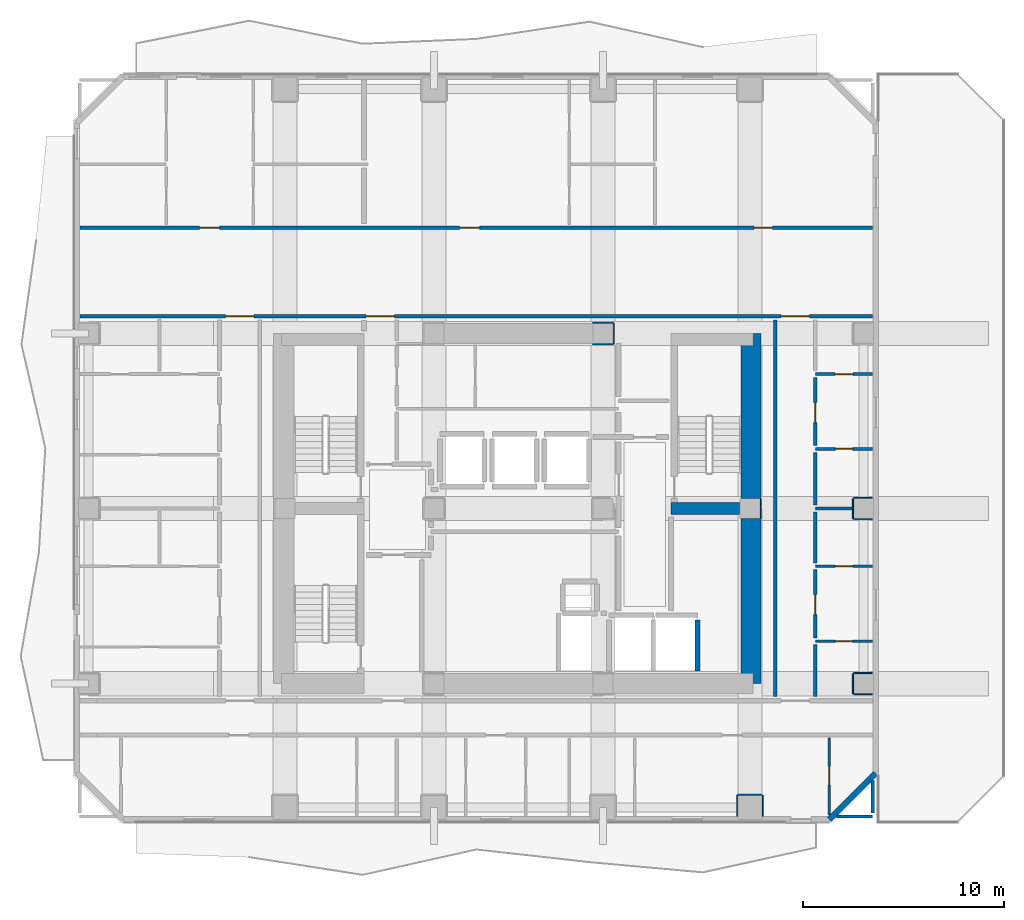
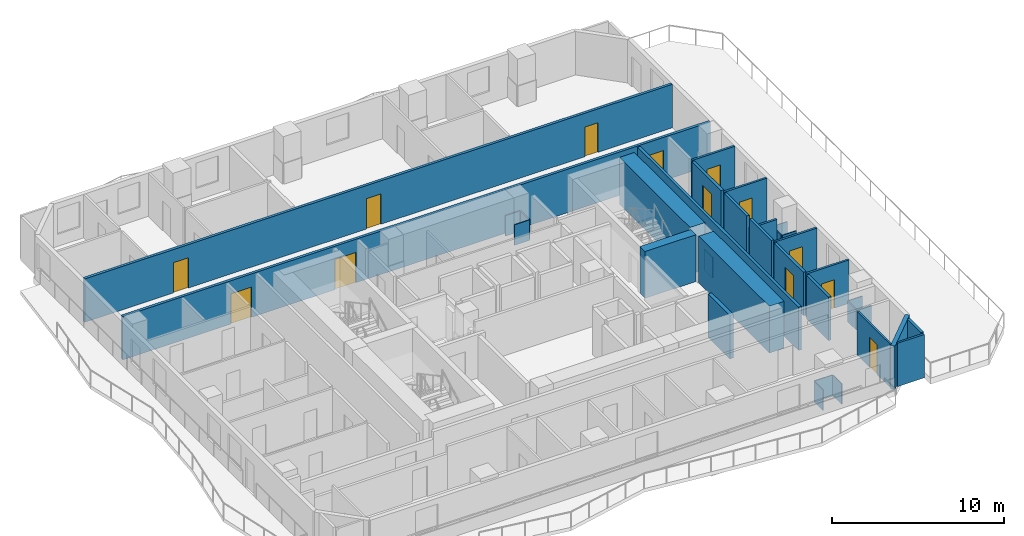
# One storey, part 5 of 11: 34 walls, 13 doors, 13 openings.
"""IFC4 building model written with IfcOpenShell, lengths in metres."""

from ifc_helpers import new_model, si_unit, direction, frame, frame_2d, origin, place, context, subcontext, project, spatial, rectangle, extrude, material, layer, layer_set, type_object, element, fill, save


model = new_model("IFC4")

# Units and contexts
model_context = context("Model", 3, precision=1e-05, world=origin(), true_north=direction((0.0, 1.0)))
body_context = subcontext(model_context, "Body", "Model", "MODEL_VIEW")
ifc_project = project(units=[si_unit("LENGTHUNIT", "METRE"), si_unit("AREAUNIT", "SQUARE_METRE"), si_unit("VOLUMEUNIT", "CUBIC_METRE"), si_unit("PLANEANGLEUNIT", "RADIAN"), si_unit("MASSUNIT", "GRAM", prefix="KILO")], contexts=[model_context])

# Site, building, storey
site_placement = place(None, origin())
site = spatial("IfcSite", under=ifc_project, at=site_placement, CompositionType="ELEMENT")
building_placement = place(site_placement, origin())
building = spatial("IfcBuilding", under=site, at=building_placement, Name="Solanera Arch Residences", CompositionType="ELEMENT")
storey_placement = place(building_placement, frame((0.0, 0.0, 165.840087890625)))
storey = spatial("IfcBuildingStorey", under=building, at=storey_placement, Name="L48", CompositionType="ELEMENT", Elevation=165.840087890625)

# Walls
ifc_material_1 = material(Name="Fire-Rated Gypsum Stud Partition", Category="gypsum")
ifc_layer_1 = layer(ifc_material_1, 0.06005859375)
ifc_layer_set_1 = layer_set([ifc_layer_1], Name="Fire-Rated Gypsum Stud Partition")
wall_type_1 = type_object("IfcWallType", Name="Column Acoustic Furring Wall 60", PredefinedType="PARTITIONING", material=ifc_layer_set_1)
for number, where, z_axis, x_axis, name in (
    (1, (28.699951171875, 38.867919921875, 0.0), (0.0, 0.0, 1.0), (1.0, 0.0, 0.0), "L48 Column Furring 4S"),
    (2, (28.699951171875, 39.931884765625, 0.0), (0.0, 0.0, 1.0), (1.0, 0.0, 0.0), "L48 Column Furring 4N"),
    (3, (29.73193359375, 38.89990234375, 0.0), (0.0, 0.0, 1.0), (0.0, 1.0, 0.0), "L48 Column Furring 4E"),
):
    element("IfcWall", number, at=place(storey_placement, frame(where, z_axis=z_axis, x_axis=x_axis)), inside=storey, type_object=wall_type_1, Name=name, PredefinedType="PARTITIONING", context=body_context, shape_type="SweptSolid", body=[
        extrude(rectangle(XDim=1.0, YDim=0.06005859375, at=frame_2d((0.5, 0.0))), origin(), (0.0, 0.0, 1.0), 1.449951171875),
    ])
wall_1_placement = place(storey_placement, frame((37.031982421875, 30.2099609375, 0.0), z_axis=(0.0, 0.0, 1.0), x_axis=(0.0, 1.0, 0.0)))
element("IfcWall", 4, at=wall_1_placement, inside=storey, type_object=wall_type_1, Name="L48 Column Furring 6E", PredefinedType="PARTITIONING", context=body_context, shape_type="SweptSolid", body=[
    extrude(rectangle(XDim=0.97998046875, YDim=0.06005859375, at=frame_2d((0.489990234375, 0.0))), origin(), (0.0, 0.0, 1.0), 1.449951171875),
])
wall_2_placement = place(storey_placement, frame((35.89990234375, 16.48193359375, 0.0), z_axis=(0.0, 0.0, 1.0), x_axis=(1.0, 0.0, 0.0)))
element("IfcWall", 5, at=wall_2_placement, inside=storey, type_object=wall_type_1, Name="L48 Column Furring 15N", PredefinedType="PARTITIONING", context=body_context, shape_type="SweptSolid", body=[
    extrude(rectangle(XDim=1.2001953125, YDim=0.06005859375, at=frame_2d((0.60009765625, 0.0))), origin(), (0.0, 0.0, 1.0), 1.449951171875),
])
for number, where, z_axis, x_axis, name in (
    (6, (35.867919921875, 15.409912109375, 0.0), (0.0, 0.0, 1.0), (0.0, 1.0, 0.0), "L48 Column Furring 15W"),
    (7, (37.132080078125, 15.409912109375, 0.0), (0.0, 0.0, 1.0), (0.0, 1.0, 0.0), "L48 Column Furring 15E"),
):
    element("IfcWall", number, at=place(storey_placement, frame(where, z_axis=z_axis, x_axis=x_axis)), inside=storey, type_object=wall_type_1, Name=name, PredefinedType="PARTITIONING", context=body_context, shape_type="SweptSolid", body=[
        extrude(rectangle(XDim=1.0400390625, YDim=0.06005859375, at=frame_2d((0.52001953125, 0.0))), origin(), (0.0, 0.0, 1.0), 1.449951171875),
    ])
for number, where, z_axis, x_axis, name in (
    (8, (41.64990234375, 21.468017578125, 0.0), (0.0, 0.0, 1.0), (1.0, 0.0, 0.0), "L48 Column Furring 18S"),
    (9, (41.64990234375, 22.531982421875, 0.0), (0.0, 0.0, 1.0), (1.0, 0.0, 0.0), "L48 Column Furring 18N"),
):
    element("IfcWall", number, at=place(storey_placement, frame(where, z_axis=z_axis, x_axis=x_axis)), inside=storey, type_object=wall_type_1, Name=name, PredefinedType="PARTITIONING", context=body_context, shape_type="SweptSolid", body=[
        extrude(rectangle(XDim=0.940185546875, YDim=0.06005859375, at=frame_2d((0.47021484375, 0.0))), origin(), (0.0, 0.0, 1.0), 1.449951171875),
    ])
wall_3_placement = place(storey_placement, frame((41.617919921875, 21.5, 0.0), z_axis=(0.0, 0.0, 1.0), x_axis=(0.0, 1.0, 0.0)))
element("IfcWall", 10, at=wall_3_placement, inside=storey, type_object=wall_type_1, Name="L48 Column Furring 18W", PredefinedType="PARTITIONING", context=body_context, shape_type="SweptSolid", body=[
    extrude(rectangle(XDim=1.0, YDim=0.06005859375, at=frame_2d((0.5, 0.0))), origin(), (0.0, 0.0, 1.0), 1.449951171875),
])
for number, where, z_axis, x_axis, name in (
    (11, (41.64990234375, 30.16796875, 0.0), (0.0, 0.0, 1.0), (1.0, 0.0, 0.0), "L48 Column Furring 20S"),
    (12, (41.64990234375, 31.23193359375, 0.0), (0.0, 0.0, 1.0), (1.0, 0.0, 0.0), "L48 Column Furring 20N"),
):
    element("IfcWall", number, at=place(storey_placement, frame(where, z_axis=z_axis, x_axis=x_axis)), inside=storey, type_object=wall_type_1, Name=name, PredefinedType="PARTITIONING", context=body_context, shape_type="SweptSolid", body=[
        extrude(rectangle(XDim=0.940185546875, YDim=0.06005859375, at=frame_2d((0.47021484375, 0.0))), origin(), (0.0, 0.0, 1.0), 1.449951171875),
    ])
wall_4_placement = place(storey_placement, frame((41.617919921875, 30.199951171875, 0.0), z_axis=(0.0, 0.0, 1.0), x_axis=(0.0, 1.0, 0.0)))
element("IfcWall", 13, at=wall_4_placement, inside=storey, type_object=wall_type_1, Name="L48 Column Furring 20W", PredefinedType="PARTITIONING", context=body_context, shape_type="SweptSolid", body=[
    extrude(rectangle(XDim=1.0, YDim=0.06005859375, at=frame_2d((0.5, 0.0))), origin(), (0.0, 0.0, 1.0), 1.449951171875),
])
ifc_material_2 = material(Name="Concrete C55/67 (f'c = 60 MPa)", Category="concrete")
ifc_layer_2 = layer(ifc_material_2, 1.0)
ifc_layer_set_2 = layer_set([ifc_layer_2], Name="Concrete C55/67 (f'c = 60 MPa)")
wall_type_2 = type_object("IfcWallType", Name="Core Shear Wall CW-1000", PredefinedType="SHEAR", material=ifc_layer_set_2)
wall_5_placement = place(storey_placement, frame((36.56005859375, 22.0, 0.0), z_axis=(0.0, 0.0, 1.0), x_axis=(0.0, 1.0, 0.0)))
element("IfcWall", 14, at=wall_5_placement, inside=storey, type_object=wall_type_2, Name="L48 East Core South Shear Wall", PredefinedType="SHEAR", context=body_context, shape_type="SweptSolid", body=[
    extrude(rectangle(XDim=8.195068359375, YDim=1.0, at=frame_2d((4.09765625, 0.0))), origin(), (0.0, 0.0, 1.0), 3.31982421875),
])
wall_6_placement = place(storey_placement, frame((36.56005859375, 31.205078125, 0.0), z_axis=(0.0, 0.0, 1.0), x_axis=(0.0, 1.0, 0.0)))
element("IfcWall", 15, at=wall_6_placement, inside=storey, type_object=wall_type_2, Name="L48 East Core North Shear Wall", PredefinedType="SHEAR", context=body_context, shape_type="SweptSolid", body=[
    extrude(rectangle(XDim=8.19482421875, YDim=1.0, at=frame_2d((4.097412109375, 0.0))), origin(), (0.0, 0.0, 1.0), 3.31982421875),
])
ifc_material_3 = material(Name="Concrete C40/50 (f'c = 45 MPa)", Category="concrete")
ifc_layer_3 = layer(ifc_material_3, 0.60009765625)
ifc_layer_set_3 = layer_set([ifc_layer_3], Name="Concrete C40/50 (f'c = 45 MPa)")
wall_type_3 = type_object("IfcWallType", Name="Core Shear Wall CW-600", PredefinedType="SHEAR", material=ifc_layer_set_3)
wall_7_placement = place(storey_placement, frame((32.580078125, 30.699951171875, 0.0), z_axis=(0.0, 0.0, 1.0), x_axis=(1.0, 0.0, 0.0)))
element("IfcWall", 16, at=wall_7_placement, inside=storey, type_object=wall_type_3, Name="L48 East Stair Far-Landing Shear Wall", PredefinedType="SHEAR", context=body_context, shape_type="SweptSolid", body=[
    extrude(rectangle(XDim=3.4150390625, YDim=0.60009765625, at=frame_2d((1.70751953125, 0.0))), origin(), (0.0, 0.0, 1.0), 3.31982421875),
])

# Wall, openings, doors
ifc_material_4 = material(Name="Autoclaved Aerated Concrete Blockwork", Category="masonry")
ifc_layer_4 = layer(ifc_material_4, 0.179931640625)
ifc_layer_set_4 = layer_set([ifc_layer_4], Name="Autoclaved Aerated Concrete Blockwork")
wall_type_4 = type_object("IfcWallType", Name="Corridor Fire Partition 180", PredefinedType="PARTITIONING", material=ifc_layer_set_4)
wall_8_placement = place(storey_placement, frame((3.20703125, 40.25, 0.0), z_axis=(0.0, 0.0, 1.0), x_axis=(1.0, 0.0, 0.0)))
wall_8 = element("IfcWall", 17, at=wall_8_placement, inside=storey, type_object=wall_type_4, Name="L48 Interior Partition H10", PredefinedType="PARTITIONING", context=body_context, shape_type="SweptSolid", body=[
    extrude(rectangle(XDim=39.385986328125, YDim=0.179931640625, at=frame_2d((19.69287109375, 0.0))), origin(), (0.0, 0.0, 1.0), 3.079833984375),
])
opening_1_placement = place(wall_8_placement, frame((14.22802734375, 0.0, 0.0)))
opening_1 = element("IfcOpeningElement", 18, at=opening_1_placement, cuts=wall_8, Name="Opening DF-03", PredefinedType="OPENING", context=body_context, shape_type="SweptSolid", body=[
    extrude(rectangle(XDim=1.39990234375, YDim=2.14990234375, at=frame_2d((0.699951171875, 1.074951171875))), frame((0.0, 0.10009765625, 0.0), z_axis=(0.0, -1.0, 0.0), x_axis=(1.0, 0.0, 0.0)), (0.0, 0.0, 1.0), 0.1999),
])
opening_2_placement = place(wall_8_placement, frame((7.242919921875, 0.0, 0.0)))
opening_2 = element("IfcOpeningElement", 19, at=opening_2_placement, cuts=wall_8, Name="Opening DF-03", PredefinedType="OPENING", context=body_context, shape_type="SweptSolid", body=[
    extrude(rectangle(XDim=1.39990234375, YDim=2.14990234375, at=frame_2d((0.699951171875, 1.074951171875))), frame((0.0, 0.10009765625, 0.0), z_axis=(0.0, -1.0, 0.0), x_axis=(1.0, 0.0, 0.0)), (0.0, 0.0, 1.0), 0.1999),
])
opening_3_placement = place(wall_8_placement, frame((34.843017578125, 0.0, 0.0)))
opening_3 = element("IfcOpeningElement", 20, at=opening_3_placement, cuts=wall_8, Name="Opening DF-03", PredefinedType="OPENING", context=body_context, shape_type="SweptSolid", body=[
    extrude(rectangle(XDim=1.39990234375, YDim=2.14990234375, at=frame_2d((0.699951171875, 1.074951171875))), frame((0.0, 0.10009765625, 0.0), z_axis=(0.0, -1.0, 0.0), x_axis=(1.0, 0.0, 0.0)), (0.0, 0.0, 1.0), 0.1999),
])
ifc_material_5 = material(Name="Fire-Rated Architectural Hardwood", Category="wood")
door_type_1 = type_object("IfcDoorType", Name="Corridor Smoke Door DF-03", OperationType="NOTDEFINED", PredefinedType="DOOR", material=ifc_material_5)
door_1_placement = place(opening_1_placement, origin())
door_1 = element("IfcDoor", 21, at=door_1_placement, inside=storey, type_object=door_type_1, Name="DR-L48-IN-009", OperationType="SINGLE_SWING_RIGHT", OverallHeight=2.14990234375, OverallWidth=1.39990234375, PredefinedType="DOOR", context=body_context, shape_type="SweptSolid", body=[
    extrude(rectangle(XDim=1.39990234375, YDim=2.14990234375, at=frame_2d((0.699951171875, 1.074951171875))), frame((0.0, 0.02490234375, 0.0), z_axis=(0.0, -1.0, 0.0), x_axis=(1.0, 0.0, 0.0)), (0.0, 0.0, 1.0), 0.050048828125),
])
fill(opening_1, door_1)
door_2_placement = place(opening_2_placement, origin())
door_2 = element("IfcDoor", 22, at=door_2_placement, inside=storey, type_object=door_type_1, Name="DR-L48-IN-012", OperationType="SINGLE_SWING_LEFT", OverallHeight=2.14990234375, OverallWidth=1.39990234375, PredefinedType="DOOR", context=body_context, shape_type="SweptSolid", body=[
    extrude(rectangle(XDim=1.39990234375, YDim=2.14990234375, at=frame_2d((0.699951171875, 1.074951171875))), frame((0.0, 0.02490234375, 0.0), z_axis=(0.0, -1.0, 0.0), x_axis=(1.0, 0.0, 0.0)), (0.0, 0.0, 1.0), 0.050048828125),
])
fill(opening_2, door_2)
door_3_placement = place(opening_3_placement, origin())
door_3 = element("IfcDoor", 23, at=door_3_placement, inside=storey, type_object=door_type_1, Name="DR-L48-IN-013", OperationType="SINGLE_SWING_RIGHT", OverallHeight=2.14990234375, OverallWidth=1.39990234375, PredefinedType="DOOR", context=body_context, shape_type="SweptSolid", body=[
    extrude(rectangle(XDim=1.39990234375, YDim=2.14990234375, at=frame_2d((0.699951171875, 1.074951171875))), frame((0.0, 0.02490234375, 0.0), z_axis=(0.0, -1.0, 0.0), x_axis=(1.0, 0.0, 0.0)), (0.0, 0.0, 1.0), 0.050048828125),
])
fill(opening_3, door_3)

wall_9_placement = place(storey_placement, frame((3.20703125, 44.64990234375, 0.0), z_axis=(0.0, 0.0, 1.0), x_axis=(1.0, 0.0, 0.0)))
wall_9 = element("IfcWall", 24, at=wall_9_placement, inside=storey, type_object=wall_type_4, Name="L48 Interior Partition H11", PredefinedType="PARTITIONING", context=body_context, shape_type="SweptSolid", body=[
    extrude(rectangle(XDim=39.385986328125, YDim=0.179931640625, at=frame_2d((19.69287109375, 0.0))), origin(), (0.0, 0.0, 1.0), 3.079833984375),
])
opening_4_placement = place(wall_9_placement, frame((5.951904296875, 0.0, 0.0)))
opening_4 = element("IfcOpeningElement", 25, at=opening_4_placement, cuts=wall_9, Name="Opening DI-01", PredefinedType="OPENING", context=body_context, shape_type="SweptSolid", body=[
    extrude(rectangle(XDim=1.0, YDim=2.14990234375, at=frame_2d((0.5, 1.074951171875))), frame((0.0, 0.10009765625, 0.0), z_axis=(0.0, -1.0, 0.0), x_axis=(1.0, 0.0, 0.0)), (0.0, 0.0, 1.0), 0.1999),
])
opening_5_placement = place(wall_9_placement, frame((18.865966796875, 0.0, 0.0)))
opening_5 = element("IfcOpeningElement", 26, at=opening_5_placement, cuts=wall_9, Name="Opening DI-01", PredefinedType="OPENING", context=body_context, shape_type="SweptSolid", body=[
    extrude(rectangle(XDim=1.0, YDim=2.14990234375, at=frame_2d((0.5, 1.074951171875))), frame((0.0, 0.10009765625, 0.0), z_axis=(0.0, -1.0, 0.0), x_axis=(1.0, 0.0, 0.0)), (0.0, 0.0, 1.0), 0.1999),
])
opening_6_placement = place(wall_9_placement, frame((33.508056640625, 0.0, 0.0)))
opening_6 = element("IfcOpeningElement", 27, at=opening_6_placement, cuts=wall_9, Name="Opening DI-02", PredefinedType="OPENING", context=body_context, shape_type="SweptSolid", body=[
    extrude(rectangle(XDim=0.89990234375, YDim=2.10009765625, at=frame_2d((0.449951171875, 1.050048828125))), frame((0.0, 0.10009765625, 0.0), z_axis=(0.0, -1.0, 0.0), x_axis=(1.0, 0.0, 0.0)), (0.0, 0.0, 1.0), 0.1999),
])
ifc_material_6 = material(Name="Fire-Rated Architectural Hardwood", Category="wood")
door_type_2 = type_object("IfcDoorType", Name="Suite Room Swing Door DI-02", OperationType="NOTDEFINED", PredefinedType="DOOR", material=ifc_material_6)
door_4_placement = place(opening_6_placement, origin())
door_4 = element("IfcDoor", 28, at=door_4_placement, inside=storey, type_object=door_type_2, Name="DR-L48-IN-033", OperationType="SINGLE_SWING_RIGHT", OverallHeight=2.10009765625, OverallWidth=0.89990234375, PredefinedType="DOOR", context=body_context, shape_type="SweptSolid", body=[
    extrude(rectangle(XDim=0.89990234375, YDim=2.10009765625, at=frame_2d((0.449951171875, 1.050048828125))), frame((0.0, 0.02490234375, 0.0), z_axis=(0.0, -1.0, 0.0), x_axis=(1.0, 0.0, 0.0)), (0.0, 0.0, 1.0), 0.050048828125),
])
fill(opening_6, door_4)
ifc_material_7 = material(Name="Fire-Rated Architectural Hardwood", Category="wood")
door_type_3 = type_object("IfcDoorType", Name="Unit Entrance Fire Door DI-01", OperationType="NOTDEFINED", PredefinedType="DOOR", material=ifc_material_7)
door_5_placement = place(opening_4_placement, origin())
door_5 = element("IfcDoor", 29, at=door_5_placement, inside=storey, type_object=door_type_3, Name="DR-L48-IN-025", OperationType="SINGLE_SWING_RIGHT", OverallHeight=2.14990234375, OverallWidth=1.0, PredefinedType="DOOR", context=body_context, shape_type="SweptSolid", body=[
    extrude(rectangle(XDim=1.0, YDim=2.14990234375, at=frame_2d((0.5, 1.074951171875))), frame((0.0, 0.02490234375, 0.0), z_axis=(0.0, -1.0, 0.0), x_axis=(1.0, 0.0, 0.0)), (0.0, 0.0, 1.0), 0.050048828125),
])
fill(opening_4, door_5)
door_6_placement = place(opening_5_placement, origin())
door_6 = element("IfcDoor", 30, at=door_6_placement, inside=storey, type_object=door_type_3, Name="DR-L48-IN-030", OperationType="SINGLE_SWING_LEFT", OverallHeight=2.14990234375, OverallWidth=1.0, PredefinedType="DOOR", context=body_context, shape_type="SweptSolid", body=[
    extrude(rectangle(XDim=1.0, YDim=2.14990234375, at=frame_2d((0.5, 1.074951171875))), frame((0.0, 0.02490234375, 0.0), z_axis=(0.0, -1.0, 0.0), x_axis=(1.0, 0.0, 0.0)), (0.0, 0.0, 1.0), 0.050048828125),
])
fill(opening_5, door_6)

# Walls
wall_10_placement = place(storey_placement, frame((37.75, 21.367919921875, 0.0), z_axis=(0.0, 0.0, 1.0), x_axis=(0.0, 1.0, 0.0)))
element("IfcWall", 31, at=wall_10_placement, inside=storey, type_object=wall_type_4, Name="L48 Interior Partition V13", PredefinedType="PARTITIONING", context=body_context, shape_type="SweptSolid", body=[
    extrude(rectangle(XDim=18.694091796875, YDim=0.179931640625, at=frame_2d((9.34716796875, 0.0))), origin(), (0.0, 0.0, 1.0), 3.079833984375),
])
wall_11_placement = place(storey_placement, frame((39.75, 21.367919921875, 0.0), z_axis=(0.0, 0.0, 1.0), x_axis=(0.0, 1.0, 0.0)))
element("IfcWall", 32, at=wall_11_placement, inside=storey, type_object=wall_type_4, Name="L48 Interior Partition V14 1", PredefinedType="PARTITIONING", context=body_context, shape_type="SweptSolid", body=[
    extrude(rectangle(XDim=2.576171875, YDim=0.179931640625, at=frame_2d((1.2880859375, 0.0))), origin(), (0.0, 0.0, 1.0), 3.079833984375),
])

# Wall, opening, door
wall_12_placement = place(storey_placement, frame((39.75, 24.280029296875, 0.0), z_axis=(0.0, 0.0, 1.0), x_axis=(0.0, 1.0, 0.0)))
wall_12 = element("IfcWall", 33, at=wall_12_placement, inside=storey, type_object=wall_type_4, Name="L48 Interior Partition V14 2", PredefinedType="PARTITIONING", context=body_context, shape_type="SweptSolid", body=[
    extrude(rectangle(XDim=3.386962890625, YDim=0.179931640625, at=frame_2d((1.693359375, 0.0))), origin(), (0.0, 0.0, 1.0), 3.079833984375),
])
opening_7_placement = place(wall_12_placement, frame((1.14501953125, 0.0, 0.0)))
opening_7 = element("IfcOpeningElement", 34, at=opening_7_placement, cuts=wall_12, Name="Opening DI-01", PredefinedType="OPENING", context=body_context, shape_type="SweptSolid", body=[
    extrude(rectangle(XDim=1.0, YDim=2.14990234375, at=frame_2d((0.5, 1.074951171875))), frame((0.0, 0.10009765625, 0.0), z_axis=(0.0, -1.0, 0.0), x_axis=(1.0, 0.0, 0.0)), (0.0, 0.0, 1.0), 0.1999),
])
door_7_placement = place(opening_7_placement, origin())
door_7 = element("IfcDoor", 35, at=door_7_placement, inside=storey, type_object=door_type_3, Name="DR-L48-IN-042", OperationType="SINGLE_SWING_LEFT", OverallHeight=2.14990234375, OverallWidth=1.0, PredefinedType="DOOR", context=body_context, shape_type="SweptSolid", body=[
    extrude(rectangle(XDim=1.0, YDim=2.14990234375, at=frame_2d((0.5, 1.074951171875))), frame((0.0, 0.02490234375, 0.0), z_axis=(0.0, -1.0, 0.0), x_axis=(1.0, 0.0, 0.0)), (0.0, 0.0, 1.0), 0.050048828125),
])
fill(opening_7, door_7)

# Walls
wall_13_placement = place(storey_placement, frame((39.75, 28.0029296875, 0.0), z_axis=(0.0, 0.0, 1.0), x_axis=(0.0, 1.0, 0.0)))
element("IfcWall", 36, at=wall_13_placement, inside=storey, type_object=wall_type_4, Name="L48 Interior Partition V14 3", PredefinedType="PARTITIONING", context=body_context, shape_type="SweptSolid", body=[
    extrude(rectangle(XDim=2.529052734375, YDim=0.179931640625, at=frame_2d((1.2646484375, 0.0))), origin(), (0.0, 0.0, 1.0), 3.079833984375),
])
wall_14_placement = place(storey_placement, frame((39.75, 30.867919921875, 0.0), z_axis=(0.0, 0.0, 1.0), x_axis=(0.0, 1.0, 0.0)))
element("IfcWall", 37, at=wall_14_placement, inside=storey, type_object=wall_type_4, Name="L48 Interior Partition V14 4", PredefinedType="PARTITIONING", context=body_context, shape_type="SweptSolid", body=[
    extrude(rectangle(XDim=2.6259765625, YDim=0.179931640625, at=frame_2d((1.31298828125, 0.0))), origin(), (0.0, 0.0, 1.0), 3.079833984375),
])

# Wall, opening, door
wall_15_placement = place(storey_placement, frame((39.75, 33.830078125, 0.0), z_axis=(0.0, 0.0, 1.0), x_axis=(0.0, 1.0, 0.0)))
wall_15 = element("IfcWall", 38, at=wall_15_placement, inside=storey, type_object=wall_type_4, Name="L48 Interior Partition V14 5", PredefinedType="PARTITIONING", context=body_context, shape_type="SweptSolid", body=[
    extrude(rectangle(XDim=3.386962890625, YDim=0.179931640625, at=frame_2d((1.693359375, 0.0))), origin(), (0.0, 0.0, 1.0), 3.079833984375),
])
opening_8_placement = place(wall_15_placement, frame((1.14501953125, 0.0, 0.0)))
opening_8 = element("IfcOpeningElement", 39, at=opening_8_placement, cuts=wall_15, Name="Opening DI-01", PredefinedType="OPENING", context=body_context, shape_type="SweptSolid", body=[
    extrude(rectangle(XDim=1.0, YDim=2.14990234375, at=frame_2d((0.5, 1.074951171875))), frame((0.0, 0.10009765625, 0.0), z_axis=(0.0, -1.0, 0.0), x_axis=(1.0, 0.0, 0.0)), (0.0, 0.0, 1.0), 0.1999),
])
door_8_placement = place(opening_8_placement, origin())
door_8 = element("IfcDoor", 40, at=door_8_placement, inside=storey, type_object=door_type_3, Name="DR-L48-IN-045", OperationType="SINGLE_SWING_RIGHT", OverallHeight=2.14990234375, OverallWidth=1.0, PredefinedType="DOOR", context=body_context, shape_type="SweptSolid", body=[
    extrude(rectangle(XDim=1.0, YDim=2.14990234375, at=frame_2d((0.5, 1.074951171875))), frame((0.0, 0.02490234375, 0.0), z_axis=(0.0, -1.0, 0.0), x_axis=(1.0, 0.0, 0.0)), (0.0, 0.0, 1.0), 0.050048828125),
])
fill(opening_8, door_8)

# Walls
wall_16_placement = place(storey_placement, frame((42.60009765625, 15.568115234375, 0.0), z_axis=(0.0, 0.0, 1.0), x_axis=(0.0, 1.0, 0.0)))
element("IfcWall", 41, at=wall_16_placement, inside=storey, type_object=wall_type_4, Name="L48 Interior Partition V15 1", PredefinedType="PARTITIONING", context=body_context, shape_type="SweptSolid", body=[
    extrude(rectangle(XDim=1.626953125, YDim=0.179931640625, at=frame_2d((0.8134765625, 0.0))), origin(), (0.0, 0.0, 1.0), 3.079833984375),
])
ifc_material_8 = material(Name="Precast Concrete C35/45", Category="concrete")
ifc_layer_5 = layer(ifc_material_8, 0.280029296875)
ifc_layer_set_5 = layer_set([ifc_layer_5], Name="Precast Concrete C35/45")
wall_type_5 = type_object("IfcWallType", Name="Exterior Wall Precast Masonry-Frame 280", PredefinedType="STANDARD", material=ifc_layer_set_5)
wall_17_placement = place(storey_placement, frame((42.7451171875, 17.554931640625, 0.0), z_axis=(0.0, 0.0, 1.0), x_axis=(-0.707106781187, -0.707106781187, 0.0)))
element("IfcWall", 42, at=wall_17_placement, inside=storey, type_object=wall_type_5, Name="L48 Tower Exterior Precast Masonry-Frame Wall CH5", PredefinedType="STANDARD", context=body_context, shape_type="SweptSolid", body=[
    extrude(rectangle(XDim=3.252685546875, YDim=0.280029296875, at=frame_2d((1.62646484375, 0.0))), origin(), (0.0, 0.0, 1.0), 3.079833984375),
])
ifc_material_9 = material(Name="Autoclaved Aerated Concrete Blockwork", Category="masonry")
ifc_layer_6 = layer(ifc_material_9, 0.239990234375)
ifc_layer_set_6 = layer_set([ifc_layer_6], Name="Autoclaved Aerated Concrete Blockwork")
wall_type_6 = type_object("IfcWallType", Name="Shaft Wall Fire-Rated 240", PredefinedType="PARTITIONING", material=ifc_layer_set_6)
wall_18_placement = place(storey_placement, frame((33.89990234375, 22.6298828125, 0.0), z_axis=(0.0, 0.0, 1.0), x_axis=(0.0, 1.0, 0.0)))
element("IfcWall", 43, at=wall_18_placement, inside=storey, type_object=wall_type_6, Name="L48 Lift FFL-2 Hoistway Wall E", PredefinedType="PARTITIONING", context=body_context, shape_type="SweptSolid", body=[
    extrude(rectangle(XDim=2.522216796875, YDim=0.239990234375, at=frame_2d((1.26123046875, 0.0))), origin(), (0.0, 0.0, 1.0), 3.079833984375),
])

# Wall, opening, door
ifc_material_10 = material(Name="Fire-Rated Gypsum Stud Partition", Category="gypsum")
ifc_layer_7 = layer(ifc_material_10, 0.1201171875)
ifc_layer_set_7 = layer_set([ifc_layer_7], Name="Fire-Rated Gypsum Stud Partition")
wall_type_7 = type_object("IfcWallType", Name="Unit Drywall Partition 120", PredefinedType="PARTITIONING", material=ifc_layer_set_7)
wall_19_placement = place(storey_placement, frame((40.449951171875, 15.47509765625, 0.0), z_axis=(0.0, 0.0, 1.0), x_axis=(0.0, 1.0, 0.0)))
wall_19 = element("IfcWall", 44, at=wall_19_placement, inside=storey, type_object=wall_type_7, Name="L48 Interior Partition V29", PredefinedType="PARTITIONING", context=body_context, shape_type="SweptSolid", body=[
    extrude(rectangle(XDim=3.81689453125, YDim=0.1201171875, at=frame_2d((1.908447265625, 0.0))), origin(), (0.0, 0.0, 1.0), 3.079833984375),
])
opening_9_placement = place(wall_19_placement, frame((1.5, 0.0, 0.0)))
opening_9 = element("IfcOpeningElement", 45, at=opening_9_placement, cuts=wall_19, Name="Opening DI-02", PredefinedType="OPENING", context=body_context, shape_type="SweptSolid", body=[
    extrude(rectangle(XDim=0.89990234375, YDim=2.10009765625, at=frame_2d((0.449951171875, 1.050048828125))), frame((0.0, 0.070068359375, 0.0), z_axis=(0.0, -1.0, 0.0), x_axis=(1.0, 0.0, 0.0)), (0.0, 0.0, 1.0), 0.1401),
])
door_9_placement = place(opening_9_placement, origin())
door_9 = element("IfcDoor", 46, at=door_9_placement, inside=storey, type_object=door_type_2, Name="DR-L48-IN-024", OperationType="SINGLE_SWING_LEFT", OverallHeight=2.10009765625, OverallWidth=0.89990234375, PredefinedType="DOOR", context=body_context, shape_type="SweptSolid", body=[
    extrude(rectangle(XDim=0.89990234375, YDim=2.10009765625, at=frame_2d((0.449951171875, 1.050048828125))), frame((0.0, 0.02490234375, 0.0), z_axis=(0.0, -1.0, 0.0), x_axis=(1.0, 0.0, 0.0)), (0.0, 0.0, 1.0), 0.050048828125),
])
fill(opening_9, door_9)

# Wall
ifc_material_11 = material(Name="Autoclaved Aerated Concrete Blockwork", Category="masonry")
ifc_layer_8 = layer(ifc_material_11, 0.139892578125)
ifc_layer_set_8 = layer_set([ifc_layer_8], Name="Autoclaved Aerated Concrete Blockwork")
wall_type_8 = type_object("IfcWallType", Name="Wet-Room Partition 140", PredefinedType="PARTITIONING", material=ifc_layer_set_8)
wall_20_placement = place(storey_placement, frame((40.804931640625, 15.39990234375, 0.0), z_axis=(0.0, 0.0, 1.0), x_axis=(1.0, 0.0, 0.0)))
element("IfcWall", 47, at=wall_20_placement, inside=storey, type_object=wall_type_8, Name="L48 Interior Partition H12 2", PredefinedType="PARTITIONING", context=body_context, shape_type="SweptSolid", body=[
    extrude(rectangle(XDim=1.795166015625, YDim=0.139892578125, at=frame_2d((0.8974609375, 0.0))), origin(), (0.0, 0.0, 1.0), 3.079833984375),
])

# Wall, opening, door
wall_21_placement = place(storey_placement, frame((39.75, 24.112060546875, 0.0), z_axis=(0.0, 0.0, 1.0), x_axis=(1.0, 0.0, 0.0)))
wall_21 = element("IfcWall", 48, at=wall_21_placement, inside=storey, type_object=wall_type_8, Name="L48 Interior Partition H13", PredefinedType="PARTITIONING", context=body_context, shape_type="SweptSolid", body=[
    extrude(rectangle(XDim=2.843017578125, YDim=0.139892578125, at=frame_2d((1.42138671875, 0.0))), origin(), (0.0, 0.0, 1.0), 3.079833984375),
])
opening_10_placement = place(wall_21_placement, frame((0.9951171875, 0.0, 0.0)))
opening_10 = element("IfcOpeningElement", 49, at=opening_10_placement, cuts=wall_21, Name="Opening DI-05", PredefinedType="OPENING", context=body_context, shape_type="SweptSolid", body=[
    extrude(rectangle(XDim=0.860107421875, YDim=2.02001953125, at=frame_2d((0.43017578125, 1.010009765625))), frame((0.0, 0.079833984375, 0.0), z_axis=(0.0, -1.0, 0.0), x_axis=(1.0, 0.0, 0.0)), (0.0, 0.0, 1.0), 0.1599),
])
ifc_material_12 = material(Name="Fire-Rated Architectural Hardwood", Category="wood")
door_type_4 = type_object("IfcDoorType", Name="Bathroom Swing Door DI-05", OperationType="NOTDEFINED", PredefinedType="DOOR", material=ifc_material_12)
door_10_placement = place(opening_10_placement, origin())
door_10 = element("IfcDoor", 50, at=door_10_placement, inside=storey, type_object=door_type_4, Name="DR-L48-IN-043", OperationType="SINGLE_SWING_RIGHT", OverallHeight=2.02001953125, OverallWidth=0.860107421875, PredefinedType="DOOR", context=body_context, shape_type="SweptSolid", body=[
    extrude(rectangle(XDim=0.860107421875, YDim=2.02001953125, at=frame_2d((0.43017578125, 1.010009765625))), frame((0.0, 0.02490234375, 0.0), z_axis=(0.0, -1.0, 0.0), x_axis=(1.0, 0.0, 0.0)), (0.0, 0.0, 1.0), 0.050048828125),
])
fill(opening_10, door_10)

wall_22_placement = place(storey_placement, frame((39.75, 27.8349609375, 0.0), z_axis=(0.0, 0.0, 1.0), x_axis=(1.0, 0.0, 0.0)))
wall_22 = element("IfcWall", 51, at=wall_22_placement, inside=storey, type_object=wall_type_8, Name="L48 Interior Partition H15", PredefinedType="PARTITIONING", context=body_context, shape_type="SweptSolid", body=[
    extrude(rectangle(XDim=2.843017578125, YDim=0.139892578125, at=frame_2d((1.42138671875, 0.0))), origin(), (0.0, 0.0, 1.0), 3.079833984375),
])
opening_11_placement = place(wall_22_placement, frame((0.97509765625, 0.0, 0.0)))
opening_11 = element("IfcOpeningElement", 52, at=opening_11_placement, cuts=wall_22, Name="Opening DI-02", PredefinedType="OPENING", context=body_context, shape_type="SweptSolid", body=[
    extrude(rectangle(XDim=0.89990234375, YDim=2.10009765625, at=frame_2d((0.449951171875, 1.050048828125))), frame((0.0, 0.079833984375, 0.0), z_axis=(0.0, -1.0, 0.0), x_axis=(1.0, 0.0, 0.0)), (0.0, 0.0, 1.0), 0.1599),
])
door_11_placement = place(opening_11_placement, origin())
door_11 = element("IfcDoor", 53, at=door_11_placement, inside=storey, type_object=door_type_2, Name="DR-L48-IN-044", OperationType="SINGLE_SWING_LEFT", OverallHeight=2.10009765625, OverallWidth=0.89990234375, PredefinedType="DOOR", context=body_context, shape_type="SweptSolid", body=[
    extrude(rectangle(XDim=0.89990234375, YDim=2.10009765625, at=frame_2d((0.449951171875, 1.050048828125))), frame((0.0, 0.02490234375, 0.0), z_axis=(0.0, -1.0, 0.0), x_axis=(1.0, 0.0, 0.0)), (0.0, 0.0, 1.0), 0.050048828125),
])
fill(opening_11, door_11)

# Wall
wall_23_placement = place(storey_placement, frame((39.75, 30.699951171875, 0.0), z_axis=(0.0, 0.0, 1.0), x_axis=(1.0, 0.0, 0.0)))
element("IfcWall", 54, at=wall_23_placement, inside=storey, type_object=wall_type_8, Name="L48 Interior Partition H17", PredefinedType="PARTITIONING", context=body_context, shape_type="SweptSolid", body=[
    extrude(rectangle(XDim=1.818115234375, YDim=0.139892578125, at=frame_2d((0.9091796875, 0.0))), origin(), (0.0, 0.0, 1.0), 2.31494140625),
])

# Wall, opening, door
wall_24_placement = place(storey_placement, frame((39.75, 33.662109375, 0.0), z_axis=(0.0, 0.0, 1.0), x_axis=(1.0, 0.0, 0.0)))
wall_24 = element("IfcWall", 55, at=wall_24_placement, inside=storey, type_object=wall_type_8, Name="L48 Interior Partition H18", PredefinedType="PARTITIONING", context=body_context, shape_type="SweptSolid", body=[
    extrude(rectangle(XDim=2.843017578125, YDim=0.139892578125, at=frame_2d((1.42138671875, 0.0))), origin(), (0.0, 0.0, 1.0), 3.079833984375),
])
opening_12_placement = place(wall_24_placement, frame((0.9951171875, 0.0, 0.0)))
opening_12 = element("IfcOpeningElement", 56, at=opening_12_placement, cuts=wall_24, Name="Opening DI-05", PredefinedType="OPENING", context=body_context, shape_type="SweptSolid", body=[
    extrude(rectangle(XDim=0.860107421875, YDim=2.02001953125, at=frame_2d((0.43017578125, 1.010009765625))), frame((0.0, 0.079833984375, 0.0), z_axis=(0.0, -1.0, 0.0), x_axis=(1.0, 0.0, 0.0)), (0.0, 0.0, 1.0), 0.1599),
])
door_12_placement = place(opening_12_placement, origin())
door_12 = element("IfcDoor", 57, at=door_12_placement, inside=storey, type_object=door_type_4, Name="DR-L48-IN-046", OperationType="SINGLE_SWING_LEFT", OverallHeight=2.02001953125, OverallWidth=0.860107421875, PredefinedType="DOOR", context=body_context, shape_type="SweptSolid", body=[
    extrude(rectangle(XDim=0.860107421875, YDim=2.02001953125, at=frame_2d((0.43017578125, 1.010009765625))), frame((0.0, 0.02490234375, 0.0), z_axis=(0.0, -1.0, 0.0), x_axis=(1.0, 0.0, 0.0)), (0.0, 0.0, 1.0), 0.050048828125),
])
fill(opening_12, door_12)

wall_25_placement = place(storey_placement, frame((39.75, 37.385009765625, 0.0), z_axis=(0.0, 0.0, 1.0), x_axis=(1.0, 0.0, 0.0)))
wall_25 = element("IfcWall", 58, at=wall_25_placement, inside=storey, type_object=wall_type_8, Name="L48 Interior Partition H20", PredefinedType="PARTITIONING", context=body_context, shape_type="SweptSolid", body=[
    extrude(rectangle(XDim=2.843017578125, YDim=0.139892578125, at=frame_2d((1.42138671875, 0.0))), origin(), (0.0, 0.0, 1.0), 3.079833984375),
])
opening_13_placement = place(wall_25_placement, frame((0.97509765625, 0.0, 0.0)))
opening_13 = element("IfcOpeningElement", 59, at=opening_13_placement, cuts=wall_25, Name="Opening DI-02", PredefinedType="OPENING", context=body_context, shape_type="SweptSolid", body=[
    extrude(rectangle(XDim=0.89990234375, YDim=2.10009765625, at=frame_2d((0.449951171875, 1.050048828125))), frame((0.0, 0.079833984375, 0.0), z_axis=(0.0, -1.0, 0.0), x_axis=(1.0, 0.0, 0.0)), (0.0, 0.0, 1.0), 0.1599),
])
door_13_placement = place(opening_13_placement, origin())
door_13 = element("IfcDoor", 60, at=door_13_placement, inside=storey, type_object=door_type_2, Name="DR-L48-IN-047", OperationType="SINGLE_SWING_RIGHT", OverallHeight=2.10009765625, OverallWidth=0.89990234375, PredefinedType="DOOR", context=body_context, shape_type="SweptSolid", body=[
    extrude(rectangle(XDim=0.89990234375, YDim=2.10009765625, at=frame_2d((0.449951171875, 1.050048828125))), frame((0.0, 0.02490234375, 0.0), z_axis=(0.0, -1.0, 0.0), x_axis=(1.0, 0.0, 0.0)), (0.0, 0.0, 1.0), 0.050048828125),
])
fill(opening_13, door_13)

save(model, "model.ifc")
